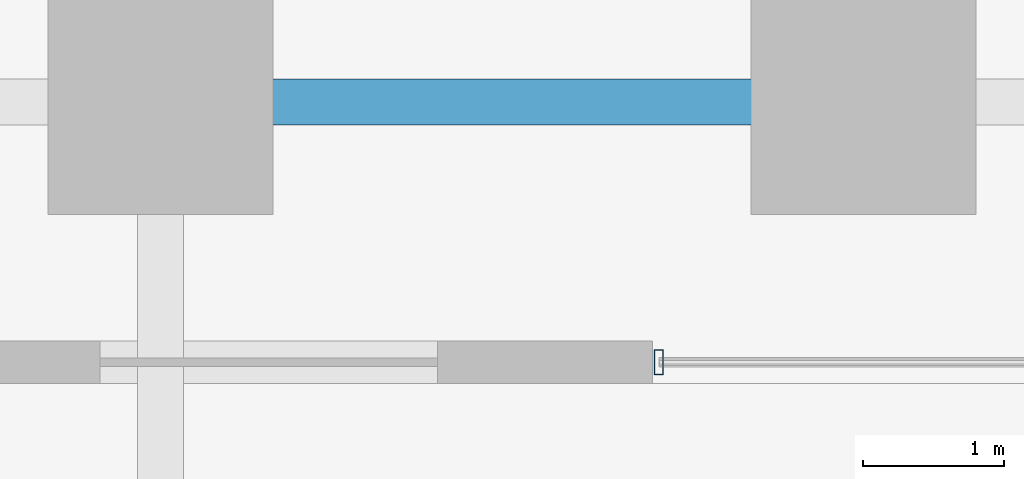
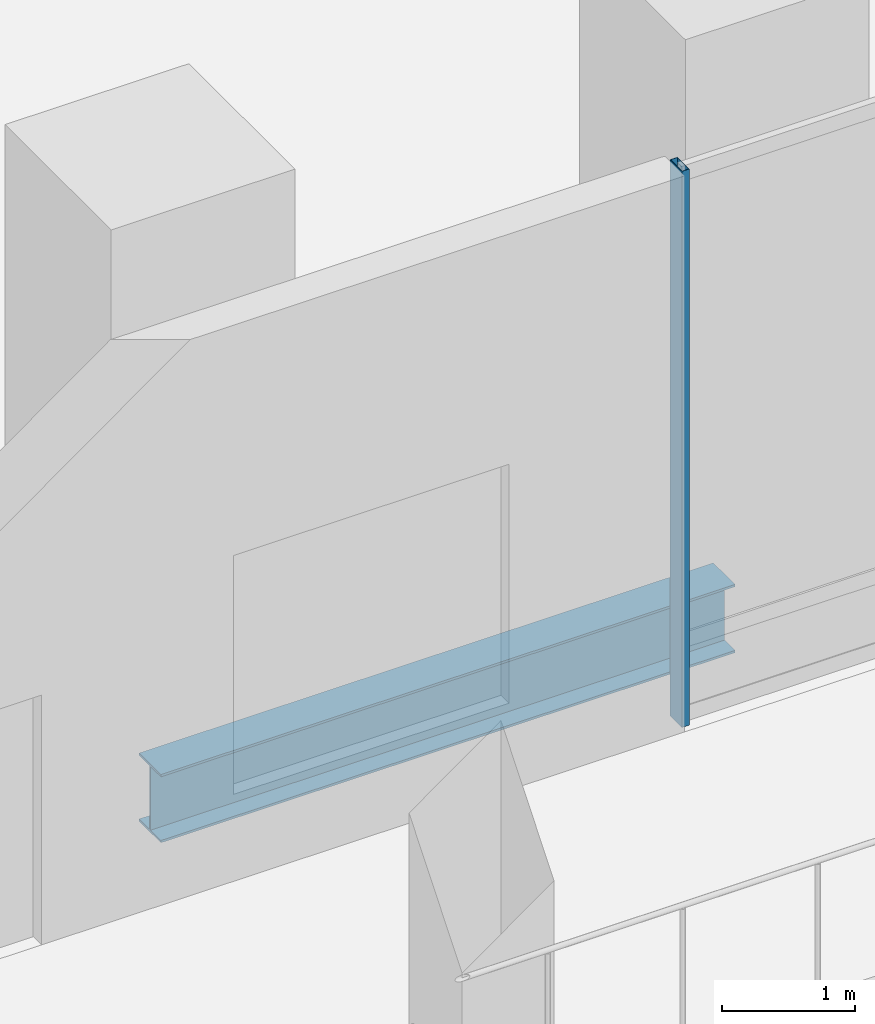
# One storey, part 3 of 36: 1 beam, 1 member, 1 element without a shape of its own.
"""IFC4 building model written with IfcOpenShell, lengths in metres."""

from ifc_helpers import new_model, si_unit, direction, frame, origin, origin_2d, place, context, subcontext, project, spatial, hollow_rectangle, i_section, extrude, material, layer, layer_set, material_profile, profile_set, type_object, element, aggregate, save


model = new_model("IFC4")

# Units and contexts
model_context = context("Model", 3, precision=1e-05, world=origin(), true_north=direction((0.0, 1.0)))
body_context = subcontext(model_context, "Body", "Model", "MODEL_VIEW")
ifc_project = project(units=[si_unit("LENGTHUNIT", "METRE"), si_unit("AREAUNIT", "SQUARE_METRE"), si_unit("VOLUMEUNIT", "CUBIC_METRE"), si_unit("PLANEANGLEUNIT", "RADIAN"), si_unit("MASSUNIT", "GRAM", prefix="KILO")], contexts=[model_context])

# Site, building, storey
site_placement = place(None, origin())
site = spatial("IfcSite", under=ifc_project, at=site_placement, CompositionType="ELEMENT")
building_placement = place(site_placement, origin())
building = spatial("IfcBuilding", under=site, at=building_placement, Name="Barlavira Tower and Art Museum", CompositionType="ELEMENT")
storey_placement = place(building_placement, frame((0.0, 0.0, 11.39990234375)))
storey = spatial("IfcBuildingStorey", under=building, at=storey_placement, Name="L02", CompositionType="ELEMENT", Elevation=11.39990234375)

# Curtain wall, member
ifc_material_1 = material(Name="Low-iron coastal laminated glass", Category="glass")
ifc_layer = layer(ifc_material_1, 0.179931640625, Name="Low-iron coastal laminated glass")
ifc_layer_set = layer_set([ifc_layer], Name="Low-iron coastal laminated glass")
curtain_wall_type = type_object("IfcCurtainWallType", Name="Pale-Metal Unitised Curtain Wall Zone 1", PredefinedType="NOTDEFINED", material=ifc_layer_set)
curtain_wall_placement = place(storey_placement, origin())
curtain_wall = element("IfcCurtainWall", 1, at=curtain_wall_placement, inside=storey, type_object=curtain_wall_type, Name="L02 Curtain Wall CW1-L02-S", PredefinedType="NOTDEFINED")
ifc_material_2 = material(Name="Pale anodised aluminium", Category="aluminium")
ifc_material_profile_1 = material_profile(ifc_material_2, hollow_rectangle(XDim=0.06494140625, YDim=0.179931640625, WallThickness=0.00390625, at=origin_2d()), Name="ALU-MULL 65x180x4")
ifc_profile_set_1 = profile_set([ifc_material_profile_1], Name="Pale anodised aluminium")
member_type = type_object("IfcMemberType", Name="Curtain Wall Pale-Metal Mullion 65x180", PredefinedType="MULLION", material=ifc_profile_set_1)
member_placement = place(storey_placement, frame((-7.955078125, -21.85009765625, 0.0), z_axis=(0.0, 0.0, 1.0), x_axis=(1.0, 0.0, 0.0)))
member = element("IfcMember", 2, at=member_placement, type_object=member_type, Name="CW1-L02-S Mullion 0", PredefinedType="MULLION", context=body_context, shape_type="SweptSolid", body=[
    extrude(hollow_rectangle(XDim=0.06494140625, YDim=0.179931640625, WallThickness=0.00390625, at=origin_2d()), origin(), (0.0, 0.0, 1.0), 5.1201171875),
])
aggregate(curtain_wall, [member])

# Beam
ifc_material_3 = material(Name="Steel S355", Category="steel")
ifc_material_profile_2 = material_profile(ifc_material_3, i_section(OverallWidth=0.327880859375, OverallDepth=0.62890625, WebThickness=0.013916015625, FlangeThickness=0.021484375, at=origin_2d()), Name="W610x174.0")
ifc_profile_set_2 = profile_set([ifc_material_profile_2], Name="Steel S355")
beam_type = type_object("IfcBeamType", Name="Perimeter Spandrel Edge Beam W610x174 Steel S355", PredefinedType="SPANDREL", material=ifc_profile_set_2)
beam_placement = place(storey_placement, frame((-11.5, -20.0, -0.594482421875), z_axis=(1.0, 0.0, 0.0), x_axis=(0.0, 1.0, 0.0)))
element("IfcBeam", 3, at=beam_placement, inside=storey, type_object=beam_type, Name="L02 Podium Spandrel PS2", PredefinedType="SPANDREL", context=body_context, shape_type="SweptSolid", body=[
    extrude(i_section(OverallWidth=0.327880859375, OverallDepth=0.62890625, WebThickness=0.013916015625, FlangeThickness=0.021484375, at=origin_2d()), origin(), (0.0, 0.0, 1.0), 5.0),
])

save(model, "model.ifc")
